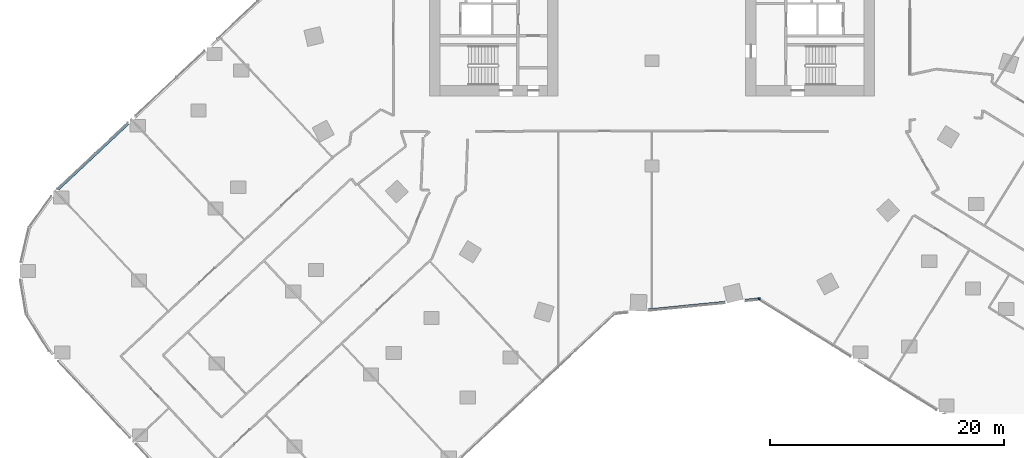
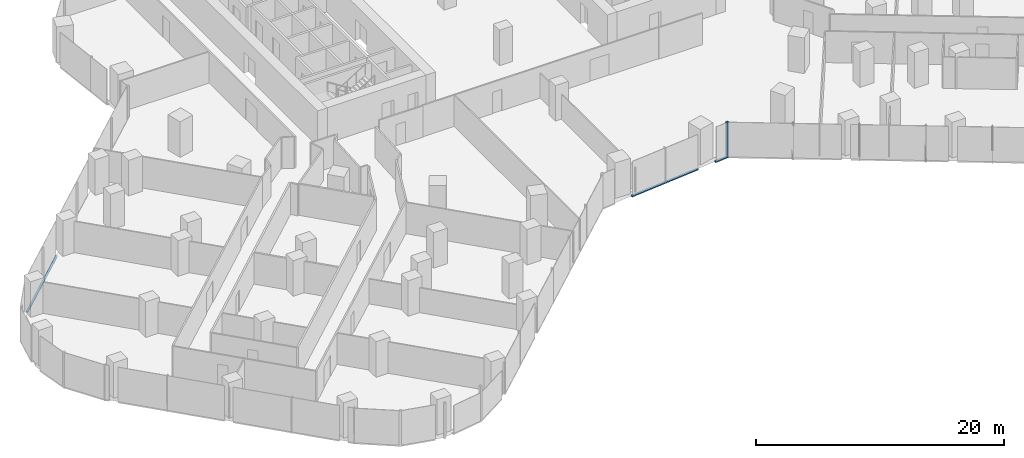
# One storey, part 5 of 33: 4 members, 2 elements without a shape of their own.
"""IFC4 building model written with IfcOpenShell, lengths in metres."""

from ifc_helpers import new_model, si_unit, direction, frame, origin, origin_2d, place, context, subcontext, project, spatial, rectangle, extrude, material, material_profile, profile_set, type_object, element, aggregate, save


model = new_model("IFC4")

# Units and contexts
model_context = context("Model", 3, precision=1e-05, world=origin(), true_north=direction((0.0, 1.0)))
body_context = subcontext(model_context, "Body", "Model", "MODEL_VIEW")
ifc_project = project(units=[si_unit("LENGTHUNIT", "METRE"), si_unit("AREAUNIT", "SQUARE_METRE"), si_unit("VOLUMEUNIT", "CUBIC_METRE"), si_unit("PLANEANGLEUNIT", "RADIAN"), si_unit("MASSUNIT", "GRAM", prefix="KILO")], contexts=[model_context])

# Site, building, storey
site_placement = place(None, origin())
site = spatial("IfcSite", under=ifc_project, at=site_placement, CompositionType="ELEMENT")
building_placement = place(site_placement, origin())
building = spatial("IfcBuilding", under=site, at=building_placement, Name="Orlundy Tower", CompositionType="ELEMENT")
storey_placement = place(building_placement, frame((0.0, 0.0, 51.300048828125)))
storey = spatial("IfcBuildingStorey", under=building, at=storey_placement, Name="L11", CompositionType="ELEMENT", Elevation=51.300048828125)

# Curtain wall, member
ifc_material_1 = material(Name="Aluminium bronze anodised", Category="aluminium")
curtain_wall_type = type_object("IfcCurtainWallType", Name="CW1 wall", PredefinedType="NOTDEFINED", material=ifc_material_1)
curtain_wall_1_placement = place(storey_placement, origin())
curtain_wall_1 = element("IfcCurtainWall", 1, at=curtain_wall_1_placement, inside=storey, type_object=curtain_wall_type, Name="CW1 run 017", PredefinedType="NOTDEFINED")
ifc_material_2 = material(Name="Aluminium bronze anodised", Category="aluminium")
ifc_material_profile_1 = material_profile(ifc_material_2, rectangle(XDim=0.179931640625, YDim=0.179931640625, at=origin_2d()), Name="CW1 corner post 180x180")
ifc_profile_set_1 = profile_set([ifc_material_profile_1], Name="Aluminium bronze anodised")
member_type_1 = type_object("IfcMemberType", Name="CW1 corner post 180x180", PredefinedType="MULLION", material=ifc_profile_set_1)
member_1_placement = place(storey_placement, frame((9.153564453125, -29.32958984375, -0.420166015625), z_axis=(0.0, 0.0, 1.0), x_axis=(0.098750373279, -0.995112236774, 0.0)))
member_1 = element("IfcMember", 2, at=member_1_placement, type_object=member_type_1, Name="CW1 mullion 49", PredefinedType="MULLION", context=body_context, shape_type="SweptSolid", body=[
    extrude(rectangle(XDim=0.179931640625, YDim=0.179931640625, at=origin_2d()), origin(), (0.0, 0.0, 1.0), 3.52001953125),
])

curtain_wall_2_placement = place(storey_placement, origin())
curtain_wall_2 = element("IfcCurtainWall", 3, at=curtain_wall_2_placement, inside=storey, type_object=curtain_wall_type, Name="CW1 run 00", PredefinedType="NOTDEFINED")
ifc_material_3 = material(Name="Aluminium bronze anodised", Category="aluminium")
ifc_material_profile_2 = material_profile(ifc_material_3, rectangle(XDim=0.179931640625, YDim=0.1201171875, at=origin_2d()), Name="CW1 transom 180x120")
ifc_profile_set_2 = profile_set([ifc_material_profile_2], Name="Aluminium bronze anodised")
member_type_2 = type_object("IfcMemberType", Name="CW1 transom 180x120", PredefinedType="USERDEFINED", material=ifc_profile_set_2)
member_2_placement = place(storey_placement, frame((-50.68310546875, -19.9951171875, -0.360107421875), z_axis=(0.729351221798, 0.684139456005, 0.0), x_axis=(-0.684139456005, 0.729351221798, 0.0)))
member_2 = element("IfcMember", 4, at=member_2_placement, type_object=member_type_2, Name="CW1 transom", ObjectType="TRANSOM", PredefinedType="USERDEFINED", context=body_context, shape_type="SweptSolid", body=[
    extrude(rectangle(XDim=0.179931640625, YDim=0.1201171875, at=origin_2d()), origin(), (0.0, 0.0, 1.0), 8.2294921875),
])
aggregate(curtain_wall_2, [member_2])

# Member
member_3_placement = place(storey_placement, frame((9.06396484375, -29.33837890625, -0.360107421875), z_axis=(-0.995095778729, -0.098916081385, 0.0), x_axis=(0.098916081385, -0.995095778729, 0.0)))
member_3 = element("IfcMember", 5, at=member_3_placement, type_object=member_type_2, Name="CW1 transom", ObjectType="TRANSOM", PredefinedType="USERDEFINED", context=body_context, shape_type="SweptSolid", body=[
    extrude(rectangle(XDim=0.179931640625, YDim=0.1201171875, at=origin_2d()), origin(), (0.0, 0.0, 1.0), 1.110595703125),
])

member_4_placement = place(storey_placement, frame((6.2509765625, -29.61767578125, -0.360107421875), z_axis=(-0.995113533405, -0.098737306191, 0.0), x_axis=(0.098737306191, -0.995113533405, 0.0)))
member_4 = element("IfcMember", 6, at=member_4_placement, type_object=member_type_2, Name="CW1 transom", ObjectType="TRANSOM", PredefinedType="USERDEFINED", context=body_context, shape_type="SweptSolid", body=[
    extrude(rectangle(XDim=0.179931640625, YDim=0.1201171875, at=origin_2d()), origin(), (0.0, 0.0, 1.0), 6.592041015625),
])

aggregate(curtain_wall_1, [member_1, member_3, member_4])

save(model, "model.ifc")
